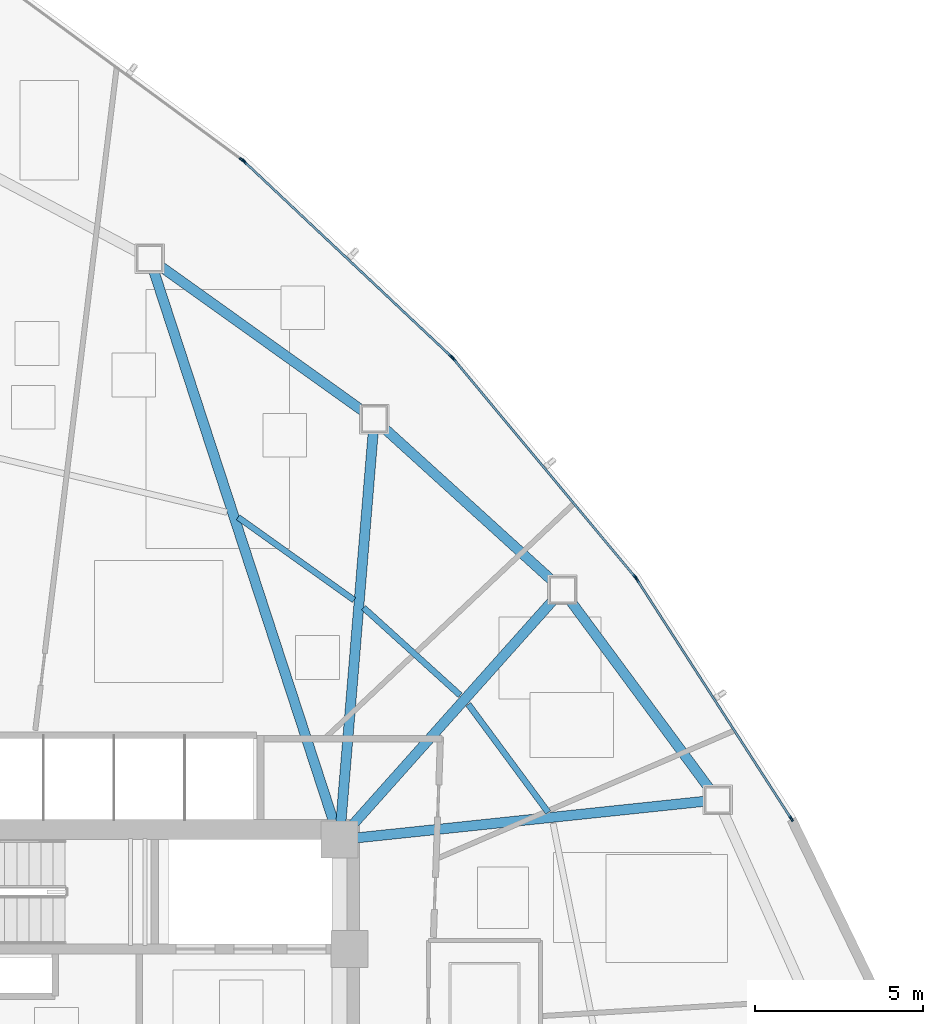
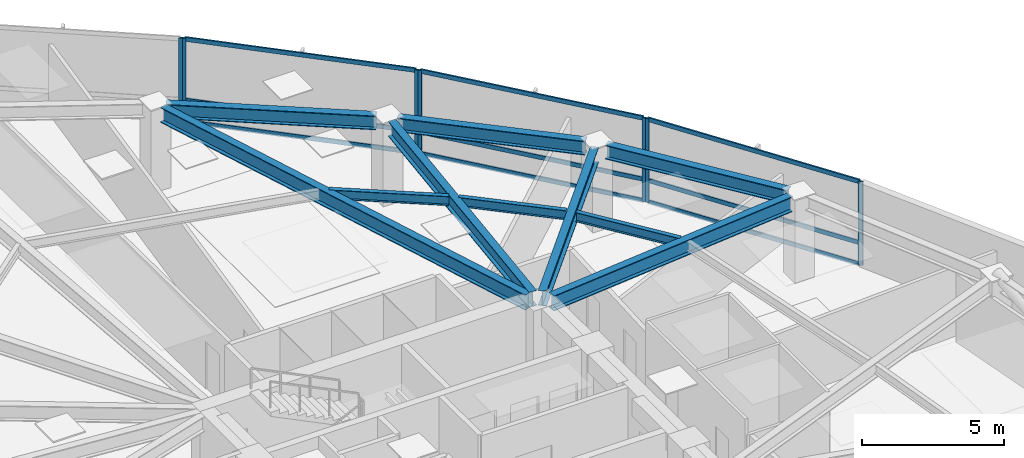
# One storey, part 10 of 18: 16 members, 10 beams, 4 elements without a shape of their own.
"""IFC4 building model written with IfcOpenShell, lengths in metres."""

from ifc_helpers import new_model, si_unit, direction, frame, origin, origin_2d, place, context, subcontext, project, spatial, hollow_rectangle, i_section, extrude, source, transform, mapped, material, layer, layer_set, material_profile, profile_set, type_object, type_shapes, element, aggregate, save


model = new_model("IFC4")

# Units and contexts
model_context = context("Model", 3, precision=1e-05, world=origin(), true_north=direction((0.0, 1.0)))
body_context = subcontext(model_context, "Body", "Model", "MODEL_VIEW")
ifc_project = project(units=[si_unit("LENGTHUNIT", "METRE"), si_unit("AREAUNIT", "SQUARE_METRE"), si_unit("VOLUMEUNIT", "CUBIC_METRE"), si_unit("PLANEANGLEUNIT", "RADIAN"), si_unit("MASSUNIT", "GRAM", prefix="KILO")], contexts=[model_context])

# Site, building, storey
site_placement = place(None, origin())
site = spatial("IfcSite", under=ifc_project, at=site_placement, CompositionType="ELEMENT")
building_placement = place(site_placement, origin())
building = spatial("IfcBuilding", under=site, at=building_placement, Name="Tavelor Broadcast Tower", CompositionType="ELEMENT")
storey_placement = place(building_placement, frame((0.0, 0.0, 51.0)))
storey = spatial("IfcBuildingStorey", under=building, at=storey_placement, Name="L11", CompositionType="ELEMENT", Elevation=51.0)

# Beams
ifc_material_1 = material(Name="Steel S355", Category="steel")
ifc_material_profile_1 = material_profile(ifc_material_1, i_section(OverallWidth=0.179931640625, OverallDepth=0.39990234375, WebThickness=0.008544921875, FlangeThickness=0.013427734375, at=origin_2d()), Name="IPE 400")
ifc_profile_set_1 = profile_set([ifc_material_profile_1], Name="Steel S355")
beam_type_1 = type_object("IfcBeamType", Name="Composite Floor Joist T1 IPE 400", PredefinedType="JOIST", material=ifc_profile_set_1)
beam_1_placement = place(storey_placement, frame((62.804443359375, 52.009521484375, 3.39990234375), z_axis=(-0.594288025828, 0.804252287754, 0.0), x_axis=(-0.804252287754, -0.594288025828, 0.0)))
element("IfcBeam", 1, at=beam_1_placement, inside=storey, type_object=beam_type_1, Name="L11 Secondary Composite Floor Joist 15", PredefinedType="JOIST", context=body_context, shape_type="SweptSolid", body=[
    extrude(i_section(OverallWidth=0.179931640625, OverallDepth=0.39990234375, WebThickness=0.008544921875, FlangeThickness=0.013427734375, at=origin_2d()), origin(), (0.0, 0.0, 1.0), 3.99755859375),
])
beam_2_placement = place(storey_placement, frame((60.18701171875, 55.49169921875, 3.39990234375), z_axis=(-0.740990869176, 0.67151510169, 0.0), x_axis=(-0.67151510169, -0.740990869176, 0.0)))
element("IfcBeam", 2, at=beam_2_placement, inside=storey, type_object=beam_type_1, Name="L11 Secondary Composite Floor Joist 16", PredefinedType="JOIST", context=body_context, shape_type="SweptSolid", body=[
    extrude(i_section(OverallWidth=0.179931640625, OverallDepth=0.39990234375, WebThickness=0.008544921875, FlangeThickness=0.013427734375, at=origin_2d()), origin(), (0.0, 0.0, 1.0), 3.8759765625),
])
beam_3_placement = place(storey_placement, frame((57.03369140625, 58.321044921875, 3.39990234375), z_axis=(-0.814052615916, 0.580791131579, 0.0), x_axis=(-0.580791131579, -0.814052615916, 0.0)))
element("IfcBeam", 3, at=beam_3_placement, inside=storey, type_object=beam_type_1, Name="L11 Secondary Composite Floor Joist 17", PredefinedType="JOIST", context=body_context, shape_type="SweptSolid", body=[
    extrude(i_section(OverallWidth=0.179931640625, OverallDepth=0.39990234375, WebThickness=0.008544921875, FlangeThickness=0.013427734375, at=origin_2d()), origin(), (0.0, 0.0, 1.0), 4.23681640625),
])
ifc_material_profile_2 = material_profile(ifc_material_1, i_section(OverallWidth=0.300048828125, OverallDepth=0.60009765625, WebThickness=0.015380859375, FlangeThickness=0.030029296875, at=origin_2d()), Name="HEB 600")
ifc_profile_set_2 = profile_set([ifc_material_profile_2], Name="Steel S355")
beam_type_2 = type_object("IfcBeamType", Name="Perimeter Spandrel Beam T1 HEB 600", PredefinedType="SPANDREL", material=ifc_profile_set_2)
beam_4_placement = place(storey_placement, frame((67.6123046875, 52.69140625, 3.300048828125), z_axis=(-0.594687385164, 0.803957034876, 0.0), x_axis=(-0.803957034876, -0.594687385164, 0.0)))
element("IfcBeam", 4, at=beam_4_placement, inside=storey, type_object=beam_type_2, Name="L11 Framed-Tube Ring Spandrel 15", PredefinedType="SPANDREL", context=body_context, shape_type="SweptSolid", body=[
    extrude(i_section(OverallWidth=0.300048828125, OverallDepth=0.60009765625, WebThickness=0.015380859375, FlangeThickness=0.030029296875, at=origin_2d()), origin(), (0.0, 0.0, 1.0), 6.9951171875),
])
beam_5_placement = place(storey_placement, frame((62.939697265625, 58.882080078125, 3.300048828125), z_axis=(-0.740415616175, 0.672149325168, 0.0), x_axis=(-0.672149325168, -0.740415616175, 0.0)))
element("IfcBeam", 5, at=beam_5_placement, inside=storey, type_object=beam_type_2, Name="L11 Framed-Tube Ring Spandrel 16", PredefinedType="SPANDREL", context=body_context, shape_type="SweptSolid", body=[
    extrude(i_section(OverallWidth=0.300048828125, OverallDepth=0.60009765625, WebThickness=0.015380859375, FlangeThickness=0.030029296875, at=origin_2d()), origin(), (0.0, 0.0, 1.0), 6.78076171875),
])
beam_6_placement = place(storey_placement, frame((57.322509765625, 63.921142578125, 3.300048828125), z_axis=(-0.813480467782, 0.581592235624, 0.0), x_axis=(-0.581592235624, -0.813480467782, 0.0)))
element("IfcBeam", 6, at=beam_6_placement, inside=storey, type_object=beam_type_2, Name="L11 Framed-Tube Ring Spandrel 17", PredefinedType="SPANDREL", context=body_context, shape_type="SweptSolid", body=[
    extrude(i_section(OverallWidth=0.300048828125, OverallDepth=0.60009765625, WebThickness=0.015380859375, FlangeThickness=0.030029296875, at=origin_2d()), origin(), (0.0, 0.0, 1.0), 7.43505859375),
])
ifc_material_profile_3 = material_profile(ifc_material_1, i_section(OverallWidth=0.300048828125, OverallDepth=0.64990234375, WebThickness=0.01611328125, FlangeThickness=0.031005859375, at=origin_2d()), Name="HEB 650")
ifc_profile_set_3 = profile_set([ifc_material_profile_3], Name="Steel S355")
beam_type_3 = type_object("IfcBeamType", Name="Radial Floor Girder T1 HEB 650", PredefinedType="BEAM", material=ifc_profile_set_3)
beam_7_placement = place(storey_placement, frame((57.125, 51.255126953125, 3.27490234375), z_axis=(0.994511502262, 0.104627299822, 0.0), x_axis=(-0.104627299822, 0.994511502262, 0.0)))
element("IfcBeam", 7, at=beam_7_placement, inside=storey, type_object=beam_type_3, Name="L11 Radial Primary Floor Girder 15", PredefinedType="BEAM", context=body_context, shape_type="SweptSolid", body=[
    extrude(i_section(OverallWidth=0.300048828125, OverallDepth=0.64990234375, WebThickness=0.01611328125, FlangeThickness=0.031005859375, at=origin_2d()), origin(), (0.0, 0.0, 1.0), 10.390869140625),
])
beam_8_placement = place(storey_placement, frame((56.951416015625, 51.593994140625, 3.27490234375), z_axis=(0.665781144197, 0.746147082036, 0.0), x_axis=(-0.746147082036, 0.665781144197, 0.0)))
element("IfcBeam", 8, at=beam_8_placement, inside=storey, type_object=beam_type_3, Name="L11 Radial Primary Floor Girder 16", PredefinedType="BEAM", context=body_context, shape_type="SweptSolid", body=[
    extrude(i_section(OverallWidth=0.300048828125, OverallDepth=0.64990234375, WebThickness=0.01611328125, FlangeThickness=0.031005859375, at=origin_2d()), origin(), (0.0, 0.0, 1.0), 9.03759765625),
])
beam_9_placement = place(storey_placement, frame((56.6435546875, 51.726318359375, 3.27490234375), z_axis=(0.08251031281, 0.996590210809, 0.0), x_axis=(-0.996590210809, 0.08251031281, 0.0)))
element("IfcBeam", 9, at=beam_9_placement, inside=storey, type_object=beam_type_3, Name="L11 Radial Primary Floor Girder 17", PredefinedType="BEAM", context=body_context, shape_type="SweptSolid", body=[
    extrude(i_section(OverallWidth=0.300048828125, OverallDepth=0.64990234375, WebThickness=0.01611328125, FlangeThickness=0.031005859375, at=origin_2d()), origin(), (0.0, 0.0, 1.0), 11.62841796875),
])
beam_10_placement = place(storey_placement, frame((56.43603515625, 51.701904296875, 3.27490234375), z_axis=(-0.310367857535, 0.950616533103, 0.0), x_axis=(-0.950616533103, -0.310367857535, 0.0)))
element("IfcBeam", 10, at=beam_10_placement, inside=storey, type_object=beam_type_3, Name="L11 Radial Primary Floor Girder 18", PredefinedType="BEAM", context=body_context, shape_type="SweptSolid", body=[
    extrude(i_section(OverallWidth=0.300048828125, OverallDepth=0.64990234375, WebThickness=0.01611328125, FlangeThickness=0.031005859375, at=origin_2d()), origin(), (0.0, 0.0, 1.0), 17.253662109375),
])

# Curtain wall, members
ifc_material_2 = material(Name="Architectural Anodized Aluminium", Category="aluminium")
ifc_layer = layer(ifc_material_2, 0.179931640625)
ifc_layer_set = layer_set([ifc_layer], Name="Architectural Anodized Aluminium")
curtain_wall_type = type_object("IfcCurtainWallType", Name="Tower Low-Zone Unitised Curtain Wall CW02", PredefinedType="NOTDEFINED", material=ifc_layer_set)
curtain_wall_1_placement = place(storey_placement, origin())
curtain_wall_1 = element("IfcCurtainWall", 11, at=curtain_wall_1_placement, inside=storey, type_object=curtain_wall_type, Name="L11 Curtain Wall CW02 Run 93", PredefinedType="NOTDEFINED")
ifc_material_profile_4 = material_profile(ifc_material_2, hollow_rectangle(XDim=0.06494140625, YDim=0.179931640625, WallThickness=0.02197265625, at=origin_2d()), Name="RHS 65x180x22")
ifc_profile_set_4 = profile_set([ifc_material_profile_4], Name="Architectural Anodized Aluminium")
member_type_1 = type_object("IfcMemberType", Name="CW02 Extruded Aluminium Mullion 65x180", PredefinedType="MULLION", material=ifc_profile_set_4)
shared_shape_1 = source(origin(), body_context, "Body", "SweptSolid", [
    extrude(hollow_rectangle(XDim=0.06494140625, YDim=0.179931640625, WallThickness=0.02197265625, at=origin_2d()), origin(), (0.0, 0.0, 1.0), 3.60009765625),
])
type_shapes(member_type_1, [shared_shape_1])
member_1_placement = place(storey_placement, frame((70.02392578125, 51.824951171875, 0.0), z_axis=(0.0, 0.0, 1.0), x_axis=(-0.840331838372, -0.542072321206, 0.0)))
member_1 = element("IfcMember", 12, at=member_1_placement, type_object=member_type_1, Name="CW02 mullion 1", PredefinedType="MULLION", context=body_context, shape_type="MappedRepresentation", body=[
    mapped(shared_shape_1, transform((0.0, 0.0, 0.0), scale=1.0)),
])
member_2_placement = place(storey_placement, frame((65.441650390625, 58.9287109375, 0.0), z_axis=(0.0, 0.0, 1.0), x_axis=(-0.840331838372, -0.542072321206, 0.0)))
member_2 = element("IfcMember", 13, at=member_2_placement, type_object=member_type_1, Name="CW02 mullion 2", PredefinedType="MULLION", context=body_context, shape_type="MappedRepresentation", body=[
    mapped(shared_shape_1, transform((0.0, 0.0, 0.0), scale=1.0)),
])

curtain_wall_2_placement = place(storey_placement, origin())
curtain_wall_2 = element("IfcCurtainWall", 14, at=curtain_wall_2_placement, inside=storey, type_object=curtain_wall_type, Name="L11 Curtain Wall CW02 Run 94", PredefinedType="NOTDEFINED")
member_3_placement = place(storey_placement, frame((65.385498046875, 59.005126953125, 0.0), z_axis=(0.0, 0.0, 1.0), x_axis=(-0.768560475481, -0.639777145206, 0.0)))
member_3 = element("IfcMember", 15, at=member_3_placement, type_object=member_type_1, Name="CW02 mullion 1", PredefinedType="MULLION", context=body_context, shape_type="MappedRepresentation", body=[
    mapped(shared_shape_1, transform((0.0, 0.0, 0.0), scale=1.0)),
])
member_4_placement = place(storey_placement, frame((59.98681640625, 65.490478515625, 0.0), z_axis=(0.0, 0.0, 1.0), x_axis=(-0.768560475481, -0.639777145206, 0.0)))
member_4 = element("IfcMember", 16, at=member_4_placement, type_object=member_type_1, Name="CW02 mullion 2", PredefinedType="MULLION", context=body_context, shape_type="MappedRepresentation", body=[
    mapped(shared_shape_1, transform((0.0, 0.0, 0.0), scale=1.0)),
])

curtain_wall_3_placement = place(storey_placement, origin())
curtain_wall_3 = element("IfcCurtainWall", 17, at=curtain_wall_3_placement, inside=storey, type_object=curtain_wall_type, Name="L11 Curtain Wall CW02 Run 95", PredefinedType="NOTDEFINED")
member_5_placement = place(storey_placement, frame((59.921875, 65.5595703125, 0.0), z_axis=(0.0, 0.0, 1.0), x_axis=(-0.685488675839, -0.728083288709, 0.0)))
member_5 = element("IfcMember", 18, at=member_5_placement, type_object=member_type_1, Name="CW02 mullion 1", PredefinedType="MULLION", context=body_context, shape_type="MappedRepresentation", body=[
    mapped(shared_shape_1, transform((0.0, 0.0, 0.0), scale=1.0)),
])
member_6_placement = place(storey_placement, frame((53.778076171875, 71.343994140625, 0.0), z_axis=(0.0, 0.0, 1.0), x_axis=(-0.685488675839, -0.728083288709, 0.0)))
member_6 = element("IfcMember", 19, at=member_6_placement, type_object=member_type_1, Name="CW02 mullion 2", PredefinedType="MULLION", context=body_context, shape_type="MappedRepresentation", body=[
    mapped(shared_shape_1, transform((0.0, 0.0, 0.0), scale=1.0)),
])

# Curtain wall, member
curtain_wall_4_placement = place(storey_placement, origin())
curtain_wall_4 = element("IfcCurtainWall", 20, at=curtain_wall_4_placement, inside=storey, type_object=curtain_wall_type, Name="L11 Curtain Wall CW02 Run 96", PredefinedType="NOTDEFINED")
member_7_placement = place(storey_placement, frame((53.705078125, 71.404541015625, 0.0), z_axis=(0.0, 0.0, 1.0), x_axis=(-0.592345857072, -0.805683800017, 0.0)))
member_7 = element("IfcMember", 21, at=member_7_placement, type_object=member_type_1, Name="CW02 mullion 1", PredefinedType="MULLION", context=body_context, shape_type="MappedRepresentation", body=[
    mapped(shared_shape_1, transform((0.0, 0.0, 0.0), scale=1.0)),
])
aggregate(curtain_wall_4, [member_7])

# Member
ifc_material_profile_5 = material_profile(ifc_material_2, hollow_rectangle(XDim=0.06494140625, YDim=0.179931640625, WallThickness=0.02197265625, at=origin_2d()), Name="RHS 65x180x22")
ifc_profile_set_5 = profile_set([ifc_material_profile_5], Name="Architectural Anodized Aluminium")
member_type_2 = type_object("IfcMemberType", Name="CW02 Extruded Aluminium Transom 65x180", PredefinedType="USERDEFINED", material=ifc_profile_set_5)
shared_shape_2 = source(origin(), body_context, "Body", "SweptSolid", [
    extrude(hollow_rectangle(XDim=0.06494140625, YDim=0.179931640625, WallThickness=0.02197265625, at=origin_2d()), origin(), (0.0, 0.0, 1.0), 8.388427734375),
])
member_8_placement = place(storey_placement, frame((70.00634765625, 51.852294921875, 0.032470703125), z_axis=(-0.54207052015, 0.840333000176, 0.0), x_axis=(-0.840333000176, -0.54207052015, 0.0)))
member_8 = element("IfcMember", 22, at=member_8_placement, type_object=member_type_2, Name="CW02 transom 1.1", ObjectType="TRANSOM", PredefinedType="USERDEFINED", context=body_context, shape_type="MappedRepresentation", body=[
    mapped(shared_shape_2, transform((0.0, 0.0, 0.0), scale=1.0)),
])

member_9_placement = place(storey_placement, frame((70.00634765625, 51.852294921875, 0.949951171875), z_axis=(-0.54207052015, 0.840333000176, 0.0), x_axis=(-0.840333000176, -0.54207052015, 0.0)))
member_9 = element("IfcMember", 23, at=member_9_placement, type_object=member_type_2, Name="CW02 transom 1.2", ObjectType="TRANSOM", PredefinedType="USERDEFINED", context=body_context, shape_type="MappedRepresentation", body=[
    mapped(shared_shape_2, transform((0.0, 0.0, 0.0), scale=1.0)),
])

member_10_placement = place(storey_placement, frame((70.00634765625, 51.852294921875, 3.5673828125), z_axis=(-0.54207052015, 0.840333000176, 0.0), x_axis=(-0.840333000176, -0.54207052015, 0.0)))
member_10 = element("IfcMember", 24, at=member_10_placement, type_object=member_type_2, Name="CW02 transom 1.3", ObjectType="TRANSOM", PredefinedType="USERDEFINED", context=body_context, shape_type="MappedRepresentation", body=[
    mapped(shared_shape_2, transform((0.0, 0.0, 0.0), scale=1.0)),
])

aggregate(curtain_wall_1, [member_1, member_2, member_8, member_9, member_10])

shared_shape_3 = source(origin(), body_context, "Body", "SweptSolid", [
    extrude(hollow_rectangle(XDim=0.06494140625, YDim=0.179931640625, WallThickness=0.02197265625, at=origin_2d()), origin(), (0.0, 0.0, 1.0), 8.37353515625),
])
type_shapes(member_type_2, [shared_shape_2, shared_shape_3])
member_11_placement = place(storey_placement, frame((65.36474609375, 59.030029296875, 0.032470703125), z_axis=(-0.639777077216, 0.768560532079, 0.0), x_axis=(-0.768560532079, -0.639777077216, 0.0)))
member_11 = element("IfcMember", 25, at=member_11_placement, type_object=member_type_2, Name="CW02 transom 1.1", ObjectType="TRANSOM", PredefinedType="USERDEFINED", context=body_context, shape_type="MappedRepresentation", body=[
    mapped(shared_shape_3, transform((0.0, 0.0, 0.0), scale=1.0)),
])

member_12_placement = place(storey_placement, frame((65.36474609375, 59.030029296875, 0.949951171875), z_axis=(-0.639777077216, 0.768560532079, 0.0), x_axis=(-0.768560532079, -0.639777077216, 0.0)))
member_12 = element("IfcMember", 26, at=member_12_placement, type_object=member_type_2, Name="CW02 transom 1.2", ObjectType="TRANSOM", PredefinedType="USERDEFINED", context=body_context, shape_type="MappedRepresentation", body=[
    mapped(shared_shape_3, transform((0.0, 0.0, 0.0), scale=1.0)),
])

member_13_placement = place(storey_placement, frame((65.36474609375, 59.030029296875, 3.5673828125), z_axis=(-0.639777077216, 0.768560532079, 0.0), x_axis=(-0.768560532079, -0.639777077216, 0.0)))
member_13 = element("IfcMember", 27, at=member_13_placement, type_object=member_type_2, Name="CW02 transom 1.3", ObjectType="TRANSOM", PredefinedType="USERDEFINED", context=body_context, shape_type="MappedRepresentation", body=[
    mapped(shared_shape_3, transform((0.0, 0.0, 0.0), scale=1.0)),
])

aggregate(curtain_wall_2, [member_3, member_4, member_11, member_12, member_13])

member_14_placement = place(storey_placement, frame((59.898193359375, 65.581787109375, 0.032470703125), z_axis=(-0.728084428161, 0.685487465581, 0.0), x_axis=(-0.685487465581, -0.728084428161, 0.0)))
member_14 = element("IfcMember", 28, at=member_14_placement, type_object=member_type_2, Name="CW02 transom 1.1", ObjectType="TRANSOM", PredefinedType="USERDEFINED", context=body_context, shape_type="MappedRepresentation", body=[
    mapped(shared_shape_3, transform((0.0, 0.0, 0.0), scale=1.0)),
])

member_15_placement = place(storey_placement, frame((59.898193359375, 65.581787109375, 0.949951171875), z_axis=(-0.728084428161, 0.685487465581, 0.0), x_axis=(-0.685487465581, -0.728084428161, 0.0)))
member_15 = element("IfcMember", 29, at=member_15_placement, type_object=member_type_2, Name="CW02 transom 1.2", ObjectType="TRANSOM", PredefinedType="USERDEFINED", context=body_context, shape_type="MappedRepresentation", body=[
    mapped(shared_shape_3, transform((0.0, 0.0, 0.0), scale=1.0)),
])

member_16_placement = place(storey_placement, frame((59.898193359375, 65.581787109375, 3.5673828125), z_axis=(-0.728084428161, 0.685487465581, 0.0), x_axis=(-0.685487465581, -0.728084428161, 0.0)))
member_16 = element("IfcMember", 30, at=member_16_placement, type_object=member_type_2, Name="CW02 transom 1.3", ObjectType="TRANSOM", PredefinedType="USERDEFINED", context=body_context, shape_type="MappedRepresentation", body=[
    mapped(shared_shape_3, transform((0.0, 0.0, 0.0), scale=1.0)),
])

aggregate(curtain_wall_3, [member_5, member_6, member_14, member_15, member_16])

save(model, "model.ifc")
